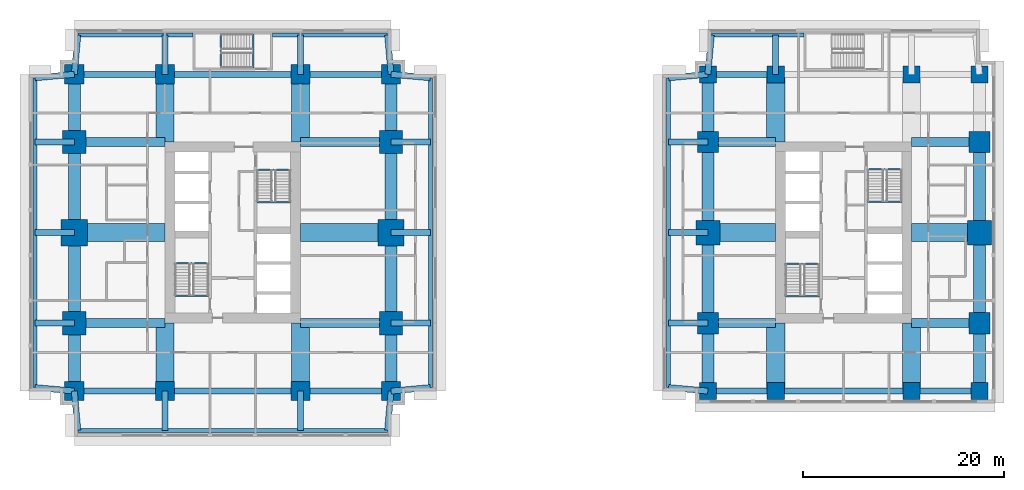
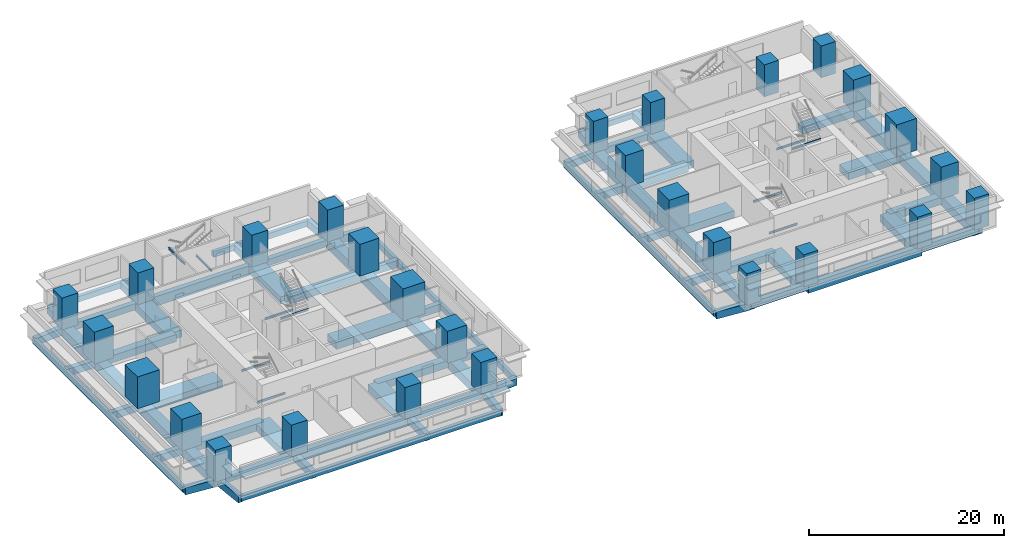
# One storey, part 1 of 11: 86 beams, 28 columns.
"""IFC4 building model written with IfcOpenShell, lengths in metres."""

from ifc_helpers import new_model, si_unit, direction, frame, origin, origin_2d, place, context, subcontext, project, spatial, rectangle, i_section, extrude, material, material_profile, profile_set, type_object, element, save


model = new_model("IFC4")

# Units and contexts
model_context = context("Model", 3, precision=1e-05, world=origin(), true_north=direction((0.0, 1.0)))
body_context = subcontext(model_context, "Body", "Model", "MODEL_VIEW")
ifc_project = project(units=[si_unit("LENGTHUNIT", "METRE"), si_unit("AREAUNIT", "SQUARE_METRE"), si_unit("VOLUMEUNIT", "CUBIC_METRE"), si_unit("PLANEANGLEUNIT", "RADIAN"), si_unit("MASSUNIT", "GRAM", prefix="KILO")], contexts=[model_context])

# Site, building, storey
site_placement = place(None, origin())
site = spatial("IfcSite", under=ifc_project, at=site_placement, CompositionType="ELEMENT")
building_placement = place(site_placement, origin())
building = spatial("IfcBuilding", under=site, at=building_placement, Name="Namib Vertical Campus", CompositionType="ELEMENT")
storey_placement = place(building_placement, frame((0.0, 0.0, 101.0)))
storey = spatial("IfcBuildingStorey", under=building, at=storey_placement, Name="L23", CompositionType="ELEMENT", Elevation=101.0)

# Columns
ifc_material_1 = material(Name="Concrete C60/75", Category="concrete")
ifc_material_profile_1 = material_profile(ifc_material_1, rectangle(XDim=1.699951171875, YDim=1.699951171875, at=origin_2d()))
ifc_profile_set_1 = profile_set([ifc_material_profile_1], Name="Concrete C60/75")
column_type_1 = type_object("IfcColumnType", Name="Column RC 1700x1700", PredefinedType="COLUMN", material=ifc_profile_set_1)
for number, where, z_axis, x_axis, name in (
    (1, (67.5, 4.5, 0.0), (0.0, 0.0, 1.0), (1.0, 0.0, 0.0), "Column C170 L23"),
    (2, (74.25, 4.5, 0.0), (0.0, 0.0, 1.0), (1.0, 0.0, 0.0), "Column C170 L23"),
    (3, (87.75, 4.5, 0.0), (0.0, 0.0, 1.0), (1.0, 0.0, 0.0), "Column C170 L23"),
    (4, (94.5, 4.5, 0.0), (0.0, 0.0, 1.0), (1.0, 0.0, 0.0), "Column C170 L23"),
    (5, (67.5, 36.0, 0.0), (0.0, 0.0, 1.0), (1.0, 0.0, 0.0), "Column C170 L23"),
    (6, (74.25, 36.0, 0.0), (0.0, 0.0, 1.0), (1.0, 0.0, 0.0), "Column C170 L23"),
    (7, (87.75, 36.0, 0.0), (0.0, 0.0, 1.0), (1.0, 0.0, 0.0), "Column C170 L23"),
    (8, (94.5, 36.0, 0.0), (0.0, 0.0, 1.0), (1.0, 0.0, 0.0), "Column C170 L23"),
):
    element("IfcColumn", number, at=place(storey_placement, frame(where, z_axis=z_axis, x_axis=x_axis)), inside=storey, type_object=column_type_1, Name=name, PredefinedType="COLUMN", context=body_context, shape_type="SweptSolid", body=[
        extrude(rectangle(XDim=1.699951171875, YDim=1.699951171875, at=origin_2d()), origin(), (0.0, 0.0, 1.0), 4.0),
    ])
ifc_material_2 = material(Name="Concrete C60/75", Category="concrete")
ifc_material_profile_2 = material_profile(ifc_material_2, rectangle(XDim=1.89990234375, YDim=1.89990234375, at=origin_2d()))
ifc_profile_set_2 = profile_set([ifc_material_profile_2], Name="Concrete C60/75")
column_type_2 = type_object("IfcColumnType", Name="Column RC 1900x1900", PredefinedType="COLUMN", material=ifc_profile_set_2)
for number, where, z_axis, x_axis, name in (
    (9, (4.5, 4.5, 0.0), (0.0, 0.0, 1.0), (1.0, 0.0, 0.0), "Column C190 L23"),
    (10, (13.5, 4.5, 0.0), (0.0, 0.0, 1.0), (1.0, 0.0, 0.0), "Column C190 L23"),
    (11, (27.0, 4.5, 0.0), (0.0, 0.0, 1.0), (1.0, 0.0, 0.0), "Column C190 L23"),
    (12, (36.0, 4.5, 0.0), (0.0, 0.0, 1.0), (1.0, 0.0, 0.0), "Column C190 L23"),
    (13, (4.5, 36.0, 0.0), (0.0, 0.0, 1.0), (1.0, 0.0, 0.0), "Column C190 L23"),
    (14, (13.5, 36.0, 0.0), (0.0, 0.0, 1.0), (1.0, 0.0, 0.0), "Column C190 L23"),
    (15, (27.0, 36.0, 0.0), (0.0, 0.0, 1.0), (1.0, 0.0, 0.0), "Column C190 L23"),
    (16, (36.0, 36.0, 0.0), (0.0, 0.0, 1.0), (1.0, 0.0, 0.0), "Column C190 L23"),
):
    element("IfcColumn", number, at=place(storey_placement, frame(where, z_axis=z_axis, x_axis=x_axis)), inside=storey, type_object=column_type_2, Name=name, PredefinedType="COLUMN", context=body_context, shape_type="SweptSolid", body=[
        extrude(rectangle(XDim=1.89990234375, YDim=1.89990234375, at=origin_2d()), origin(), (0.0, 0.0, 1.0), 4.0),
    ])
ifc_material_3 = material(Name="Concrete C60/75", Category="concrete")
ifc_material_profile_3 = material_profile(ifc_material_3, rectangle(XDim=2.10009765625, YDim=2.10009765625, at=origin_2d()))
ifc_profile_set_3 = profile_set([ifc_material_profile_3], Name="Concrete C60/75")
column_type_3 = type_object("IfcColumnType", Name="Column RC 2100x2100", PredefinedType="COLUMN", material=ifc_profile_set_3)
for number, where, z_axis, x_axis, name in (
    (17, (67.5, 11.25, 0.0), (0.0, 0.0, 1.0), (1.0, 0.0, 0.0), "Column C210 L23"),
    (18, (94.5, 11.25, 0.0), (0.0, 0.0, 1.0), (1.0, 0.0, 0.0), "Column C210 L23"),
    (19, (67.5, 29.25, 0.0), (0.0, 0.0, 1.0), (1.0, 0.0, 0.0), "Column C210 L23"),
    (20, (94.5, 29.25, 0.0), (0.0, 0.0, 1.0), (1.0, 0.0, 0.0), "Column C210 L23"),
):
    element("IfcColumn", number, at=place(storey_placement, frame(where, z_axis=z_axis, x_axis=x_axis)), inside=storey, type_object=column_type_3, Name=name, PredefinedType="COLUMN", context=body_context, shape_type="SweptSolid", body=[
        extrude(rectangle(XDim=2.10009765625, YDim=2.10009765625, at=origin_2d()), origin(), (0.0, 0.0, 1.0), 4.0),
    ])
ifc_material_4 = material(Name="Concrete C60/75", Category="concrete")
ifc_material_profile_4 = material_profile(ifc_material_4, rectangle(XDim=2.300048828125, YDim=2.300048828125, at=origin_2d()))
ifc_profile_set_4 = profile_set([ifc_material_profile_4], Name="Concrete C60/75")
column_type_4 = type_object("IfcColumnType", Name="Column RC 2300x2300", PredefinedType="COLUMN", material=ifc_profile_set_4)
for number, where, z_axis, x_axis, name in (
    (21, (4.5, 11.25, 0.0), (0.0, 0.0, 1.0), (1.0, 0.0, 0.0), "Column C230 L23"),
    (22, (36.0, 11.25, 0.0), (0.0, 0.0, 1.0), (1.0, 0.0, 0.0), "Column C230 L23"),
    (23, (4.5, 29.25, 0.0), (0.0, 0.0, 1.0), (1.0, 0.0, 0.0), "Column C230 L23"),
    (24, (36.0, 29.25, 0.0), (0.0, 0.0, 1.0), (1.0, 0.0, 0.0), "Column C230 L23"),
):
    element("IfcColumn", number, at=place(storey_placement, frame(where, z_axis=z_axis, x_axis=x_axis)), inside=storey, type_object=column_type_4, Name=name, PredefinedType="COLUMN", context=body_context, shape_type="SweptSolid", body=[
        extrude(rectangle(XDim=2.300048828125, YDim=2.300048828125, at=origin_2d()), origin(), (0.0, 0.0, 1.0), 4.0),
    ])
ifc_material_5 = material(Name="Concrete C60/75", Category="concrete")
ifc_material_profile_5 = material_profile(ifc_material_5, rectangle(XDim=2.39990234375, YDim=2.39990234375, at=origin_2d()))
ifc_profile_set_5 = profile_set([ifc_material_profile_5], Name="Concrete C60/75")
column_type_5 = type_object("IfcColumnType", Name="Column RC 2400x2400", PredefinedType="COLUMN", material=ifc_profile_set_5)
for number, where, z_axis, x_axis, name in (
    (25, (67.5, 20.25, 0.0), (0.0, 0.0, 1.0), (1.0, 0.0, 0.0), "Column C240 L23"),
    (26, (94.5, 20.25, 0.0), (0.0, 0.0, 1.0), (1.0, 0.0, 0.0), "Column C240 L23"),
):
    element("IfcColumn", number, at=place(storey_placement, frame(where, z_axis=z_axis, x_axis=x_axis)), inside=storey, type_object=column_type_5, Name=name, PredefinedType="COLUMN", context=body_context, shape_type="SweptSolid", body=[
        extrude(rectangle(XDim=2.39990234375, YDim=2.39990234375, at=origin_2d()), origin(), (0.0, 0.0, 1.0), 4.0),
    ])
ifc_material_6 = material(Name="Concrete C60/75", Category="concrete")
ifc_material_profile_6 = material_profile(ifc_material_6, rectangle(XDim=2.60009765625, YDim=2.60009765625, at=origin_2d()))
ifc_profile_set_6 = profile_set([ifc_material_profile_6], Name="Concrete C60/75")
column_type_6 = type_object("IfcColumnType", Name="Column RC 2600x2600", PredefinedType="COLUMN", material=ifc_profile_set_6)
for number, where, z_axis, x_axis, name in (
    (27, (4.5, 20.25, 0.0), (0.0, 0.0, 1.0), (1.0, 0.0, 0.0), "Column C260 L23"),
    (28, (36.0, 20.25, 0.0), (0.0, 0.0, 1.0), (1.0, 0.0, 0.0), "Column C260 L23"),
):
    element("IfcColumn", number, at=place(storey_placement, frame(where, z_axis=z_axis, x_axis=x_axis)), inside=storey, type_object=column_type_6, Name=name, PredefinedType="COLUMN", context=body_context, shape_type="SweptSolid", body=[
        extrude(rectangle(XDim=2.60009765625, YDim=2.60009765625, at=origin_2d()), origin(), (0.0, 0.0, 1.0), 4.0),
    ])

# Beams
ifc_material_7 = material(Name="Concrete C40/50", Category="concrete")
ifc_material_profile_7 = material_profile(ifc_material_7, rectangle(XDim=0.60009765625, YDim=0.89990234375, at=origin_2d()))
ifc_profile_set_7 = profile_set([ifc_material_profile_7], Name="Concrete C40/50")
beam_type_1 = type_object("IfcBeamType", Name="Cantilever girder RC 600x900", PredefinedType="BEAM", material=ifc_profile_set_7)
beam_1_placement = place(storey_placement, frame((4.5, 4.5, -0.699951171875), z_axis=(0.089411326146, -0.995994786511, 0.0), x_axis=(0.995994786511, 0.089411326146, 0.0)))
element("IfcBeam", 29, at=beam_1_placement, inside=storey, type_object=beam_type_1, Name="Beam B3 L23", PredefinedType="BEAM", context=body_context, shape_type="SweptSolid", body=[
    extrude(rectangle(XDim=0.60009765625, YDim=0.89990234375, at=origin_2d()), origin(), (0.0, 0.0, 1.0), 3.91552734375),
])
for number, where, z_axis, x_axis, name in (
    (30, (13.5, 4.5, -0.699951171875), (0.0, -1.0, 0.0), (1.0, 0.0, 0.0), "Beam B3 L23"),
    (31, (27.0, 4.5, -0.699951171875), (0.0, -1.0, 0.0), (1.0, 0.0, 0.0), "Beam B3 L23"),
):
    element("IfcBeam", number, at=place(storey_placement, frame(where, z_axis=z_axis, x_axis=x_axis)), inside=storey, type_object=beam_type_1, Name=name, PredefinedType="BEAM", context=body_context, shape_type="SweptSolid", body=[
        extrude(rectangle(XDim=0.60009765625, YDim=0.89990234375, at=origin_2d()), origin(), (0.0, 0.0, 1.0), 3.89990234375),
    ])
for number, where, z_axis, x_axis, name in (
    (32, (36.0, 4.5, -0.699951171875), (-0.089411326146, -0.995994786511, 0.0), (0.995994786511, -0.089411326146, 0.0), "Beam B3 L23"),
    (33, (4.5, 36.0, -0.699951171875), (0.089411326146, 0.995994786511, 0.0), (-0.995994786511, 0.089411326146, 0.0), "Beam B3 L23"),
):
    element("IfcBeam", number, at=place(storey_placement, frame(where, z_axis=z_axis, x_axis=x_axis)), inside=storey, type_object=beam_type_1, Name=name, PredefinedType="BEAM", context=body_context, shape_type="SweptSolid", body=[
        extrude(rectangle(XDim=0.60009765625, YDim=0.89990234375, at=origin_2d()), origin(), (0.0, 0.0, 1.0), 3.91552734375),
    ])
for number, where, z_axis, x_axis, name in (
    (34, (13.5, 36.0, -0.699951171875), (0.0, 1.0, 0.0), (-1.0, 0.0, 0.0), "Beam B3 L23"),
    (35, (27.0, 36.0, -0.699951171875), (0.0, 1.0, 0.0), (-1.0, 0.0, 0.0), "Beam B3 L23"),
):
    element("IfcBeam", number, at=place(storey_placement, frame(where, z_axis=z_axis, x_axis=x_axis)), inside=storey, type_object=beam_type_1, Name=name, PredefinedType="BEAM", context=body_context, shape_type="SweptSolid", body=[
        extrude(rectangle(XDim=0.60009765625, YDim=0.89990234375, at=origin_2d()), origin(), (0.0, 0.0, 1.0), 3.89990234375),
    ])
for number, where, z_axis, x_axis, name in (
    (36, (36.0, 36.0, -0.699951171875), (-0.089411326146, 0.995994786511, 0.0), (-0.995994786511, -0.089411326146, 0.0), "Beam B3 L23"),
    (37, (4.5, 4.5, -0.699951171875), (-0.995994786511, 0.089411326146, 0.0), (-0.089411326146, -0.995994786511, 0.0), "Beam B3 L23"),
):
    element("IfcBeam", number, at=place(storey_placement, frame(where, z_axis=z_axis, x_axis=x_axis)), inside=storey, type_object=beam_type_1, Name=name, PredefinedType="BEAM", context=body_context, shape_type="SweptSolid", body=[
        extrude(rectangle(XDim=0.60009765625, YDim=0.89990234375, at=origin_2d()), origin(), (0.0, 0.0, 1.0), 3.91552734375),
    ])
for number, where, z_axis, x_axis, name in (
    (38, (4.5, 11.25, -0.699951171875), (-1.0, 0.0, 0.0), (0.0, -1.0, 0.0), "Beam B3 L23"),
    (39, (4.5, 20.25, -0.699951171875), (-1.0, 0.0, 0.0), (0.0, -1.0, 0.0), "Beam B3 L23"),
    (40, (4.5, 29.25, -0.699951171875), (-1.0, 0.0, 0.0), (0.0, -1.0, 0.0), "Beam B3 L23"),
):
    element("IfcBeam", number, at=place(storey_placement, frame(where, z_axis=z_axis, x_axis=x_axis)), inside=storey, type_object=beam_type_1, Name=name, PredefinedType="BEAM", context=body_context, shape_type="SweptSolid", body=[
        extrude(rectangle(XDim=0.60009765625, YDim=0.89990234375, at=origin_2d()), origin(), (0.0, 0.0, 1.0), 3.89990234375),
    ])
for number, where, z_axis, x_axis, name in (
    (41, (4.5, 36.0, -0.699951171875), (-0.995994786511, -0.089411326146, 0.0), (0.089411326146, -0.995994786511, 0.0), "Beam B3 L23"),
    (42, (36.0, 4.5, -0.699951171875), (0.995994786511, 0.089411326146, 0.0), (-0.089411326146, 0.995994786511, 0.0), "Beam B3 L23"),
):
    element("IfcBeam", number, at=place(storey_placement, frame(where, z_axis=z_axis, x_axis=x_axis)), inside=storey, type_object=beam_type_1, Name=name, PredefinedType="BEAM", context=body_context, shape_type="SweptSolid", body=[
        extrude(rectangle(XDim=0.60009765625, YDim=0.89990234375, at=origin_2d()), origin(), (0.0, 0.0, 1.0), 3.91552734375),
    ])
for number, where, z_axis, x_axis, name in (
    (43, (36.0, 11.25, -0.699951171875), (1.0, 0.0, 0.0), (0.0, 1.0, 0.0), "Beam B3 L23"),
    (44, (36.0, 20.25, -0.699951171875), (1.0, 0.0, 0.0), (0.0, 1.0, 0.0), "Beam B3 L23"),
    (45, (36.0, 29.25, -0.699951171875), (1.0, 0.0, 0.0), (0.0, 1.0, 0.0), "Beam B3 L23"),
):
    element("IfcBeam", number, at=place(storey_placement, frame(where, z_axis=z_axis, x_axis=x_axis)), inside=storey, type_object=beam_type_1, Name=name, PredefinedType="BEAM", context=body_context, shape_type="SweptSolid", body=[
        extrude(rectangle(XDim=0.60009765625, YDim=0.89990234375, at=origin_2d()), origin(), (0.0, 0.0, 1.0), 3.89990234375),
    ])
for number, where, z_axis, x_axis, name in (
    (46, (36.0, 36.0, -0.699951171875), (0.995994786511, -0.089411326146, 0.0), (0.089411326146, 0.995994786511, 0.0), "Beam B3 L23"),
    (47, (67.5, 36.0, -0.699951171875), (0.089411326146, 0.995994786511, 0.0), (-0.995994786511, 0.089411326146, 0.0), "Beam B3 L23"),
):
    element("IfcBeam", number, at=place(storey_placement, frame(where, z_axis=z_axis, x_axis=x_axis)), inside=storey, type_object=beam_type_1, Name=name, PredefinedType="BEAM", context=body_context, shape_type="SweptSolid", body=[
        extrude(rectangle(XDim=0.60009765625, YDim=0.89990234375, at=origin_2d()), origin(), (0.0, 0.0, 1.0), 3.91552734375),
    ])
beam_2_placement = place(storey_placement, frame((74.25, 36.0, -0.699951171875), z_axis=(0.0, 1.0, 0.0), x_axis=(-1.0, 0.0, 0.0)))
element("IfcBeam", 48, at=beam_2_placement, inside=storey, type_object=beam_type_1, Name="Beam B3 L23", PredefinedType="BEAM", context=body_context, shape_type="SweptSolid", body=[
    extrude(rectangle(XDim=0.60009765625, YDim=0.89990234375, at=origin_2d()), origin(), (0.0, 0.0, 1.0), 3.89990234375),
])
beam_3_placement = place(storey_placement, frame((67.5, 4.5, -0.699951171875), z_axis=(-0.995994786511, 0.089411326146, 0.0), x_axis=(-0.089411326146, -0.995994786511, 0.0)))
element("IfcBeam", 49, at=beam_3_placement, inside=storey, type_object=beam_type_1, Name="Beam B3 L23", PredefinedType="BEAM", context=body_context, shape_type="SweptSolid", body=[
    extrude(rectangle(XDim=0.60009765625, YDim=0.89990234375, at=origin_2d()), origin(), (0.0, 0.0, 1.0), 3.91552734375),
])
for number, where, z_axis, x_axis, name in (
    (50, (67.5, 11.25, -0.699951171875), (-1.0, 0.0, 0.0), (0.0, -1.0, 0.0), "Beam B3 L23"),
    (51, (67.5, 20.25, -0.699951171875), (-1.0, 0.0, 0.0), (0.0, -1.0, 0.0), "Beam B3 L23"),
    (52, (67.5, 29.25, -0.699951171875), (-1.0, 0.0, 0.0), (0.0, -1.0, 0.0), "Beam B3 L23"),
):
    element("IfcBeam", number, at=place(storey_placement, frame(where, z_axis=z_axis, x_axis=x_axis)), inside=storey, type_object=beam_type_1, Name=name, PredefinedType="BEAM", context=body_context, shape_type="SweptSolid", body=[
        extrude(rectangle(XDim=0.60009765625, YDim=0.89990234375, at=origin_2d()), origin(), (0.0, 0.0, 1.0), 3.89990234375),
    ])
beam_4_placement = place(storey_placement, frame((67.5, 36.0, -0.699951171875), z_axis=(-0.995994786511, -0.089411326146, 0.0), x_axis=(0.089411326146, -0.995994786511, 0.0)))
element("IfcBeam", 53, at=beam_4_placement, inside=storey, type_object=beam_type_1, Name="Beam B3 L23", PredefinedType="BEAM", context=body_context, shape_type="SweptSolid", body=[
    extrude(rectangle(XDim=0.60009765625, YDim=0.89990234375, at=origin_2d()), origin(), (0.0, 0.0, 1.0), 3.91552734375),
])
ifc_material_8 = material(Name="Concrete C40/50", Category="concrete")
ifc_material_profile_8 = material_profile(ifc_material_8, rectangle(XDim=0.39990234375, YDim=0.699951171875, at=origin_2d()))
ifc_profile_set_8 = profile_set([ifc_material_profile_8], Name="Concrete C40/50")
beam_type_2 = type_object("IfcBeamType", Name="Edge beam RC 400x700", PredefinedType="SPANDREL", material=ifc_profile_set_8)
beam_5_placement = place(storey_placement, frame((4.85009765625, 0.60009765625, -0.60009765625), z_axis=(1.0, 0.0, 0.0), x_axis=(0.0, 1.0, 0.0)))
element("IfcBeam", 54, at=beam_5_placement, inside=storey, type_object=beam_type_2, Name="Beam B4 L23", PredefinedType="SPANDREL", context=body_context, shape_type="SweptSolid", body=[
    extrude(rectangle(XDim=0.39990234375, YDim=0.699951171875, at=origin_2d()), origin(), (0.0, 0.0, 1.0), 30.7998046875),
])
for number, where, z_axis, x_axis, name in (
    (55, (4.85009765625, 39.89990234375, -0.60009765625), (1.0, 0.0, 0.0), (0.0, 1.0, 0.0), "Beam B4 L23"),
    (56, (24.199951171875, 39.89990234375, -0.60009765625), (1.0, 0.0, 0.0), (0.0, 1.0, 0.0), "Beam B4 L23"),
):
    element("IfcBeam", number, at=place(storey_placement, frame(where, z_axis=z_axis, x_axis=x_axis)), inside=storey, type_object=beam_type_2, Name=name, PredefinedType="SPANDREL", context=body_context, shape_type="SweptSolid", body=[
        extrude(rectangle(XDim=0.39990234375, YDim=0.699951171875, at=origin_2d()), origin(), (0.0, 0.0, 1.0), 11.449951171875),
    ])
for number, where, z_axis, x_axis, name in (
    (57, (0.60009765625, 4.85009765625, -0.60009765625), (0.0, 1.0, 0.0), (-1.0, 0.0, 0.0), "Beam B4 L23"),
    (58, (39.89990234375, 4.85009765625, -0.60009765625), (0.0, 1.0, 0.0), (-1.0, 0.0, 0.0), "Beam B4 L23"),
):
    element("IfcBeam", number, at=place(storey_placement, frame(where, z_axis=z_axis, x_axis=x_axis)), inside=storey, type_object=beam_type_2, Name=name, PredefinedType="SPANDREL", context=body_context, shape_type="SweptSolid", body=[
        extrude(rectangle(XDim=0.39990234375, YDim=0.699951171875, at=origin_2d()), origin(), (0.0, 0.0, 1.0), 30.7998046875),
    ])
beam_6_placement = place(storey_placement, frame((67.85009765625, 39.89990234375, -0.60009765625), z_axis=(1.0, 0.0, 0.0), x_axis=(0.0, 1.0, 0.0)))
element("IfcBeam", 59, at=beam_6_placement, inside=storey, type_object=beam_type_2, Name="Beam B4 L23", PredefinedType="SPANDREL", context=body_context, shape_type="SweptSolid", body=[
    extrude(rectangle(XDim=0.39990234375, YDim=0.699951171875, at=origin_2d()), origin(), (0.0, 0.0, 1.0), 9.199951171875),
])
beam_7_placement = place(storey_placement, frame((63.60009765625, 4.85009765625, -0.60009765625), z_axis=(0.0, 1.0, 0.0), x_axis=(-1.0, 0.0, 0.0)))
element("IfcBeam", 60, at=beam_7_placement, inside=storey, type_object=beam_type_2, Name="Beam B4 L23", PredefinedType="SPANDREL", context=body_context, shape_type="SweptSolid", body=[
    extrude(rectangle(XDim=0.39990234375, YDim=0.699951171875, at=origin_2d()), origin(), (0.0, 0.0, 1.0), 30.7998046875),
])
ifc_material_9 = material(Name="Concrete C40/50", Category="concrete")
ifc_material_profile_9 = material_profile(ifc_material_9, rectangle(XDim=0.89990234375, YDim=0.89990234375, at=origin_2d()))
ifc_profile_set_9 = profile_set([ifc_material_profile_9], Name="Concrete C40/50")
beam_type_3 = type_object("IfcBeamType", Name="Face girder RC 900x900", PredefinedType="BEAM", material=ifc_profile_set_9)
for number, where, z_axis, x_axis, name in (
    (61, (4.5, 11.25, -0.699951171875), (1.0, 0.0, 0.0), (0.0, 1.0, 0.0), "Beam B10 L23"),
    (62, (36.0, 11.25, -0.699951171875), (-1.0, 0.0, 0.0), (0.0, -1.0, 0.0), "Beam B10 L23"),
    (63, (4.5, 29.25, -0.699951171875), (1.0, 0.0, 0.0), (0.0, 1.0, 0.0), "Beam B10 L23"),
    (64, (36.0, 29.25, -0.699951171875), (-1.0, 0.0, 0.0), (0.0, -1.0, 0.0), "Beam B10 L23"),
):
    element("IfcBeam", number, at=place(storey_placement, frame(where, z_axis=z_axis, x_axis=x_axis)), inside=storey, type_object=beam_type_3, Name=name, PredefinedType="BEAM", context=body_context, shape_type="SweptSolid", body=[
        extrude(rectangle(XDim=0.89990234375, YDim=0.89990234375, at=origin_2d()), origin(), (0.0, 0.0, 1.0), 9.0),
    ])
for number, where, z_axis, x_axis, name in (
    (65, (67.5, 11.25, -0.699951171875), (1.0, 0.0, 0.0), (0.0, 1.0, 0.0), "Beam B10 L23"),
    (66, (94.5, 11.25, -0.699951171875), (-1.0, 0.0, 0.0), (0.0, -1.0, 0.0), "Beam B10 L23"),
    (67, (67.5, 29.25, -0.699951171875), (1.0, 0.0, 0.0), (0.0, 1.0, 0.0), "Beam B10 L23"),
    (68, (94.5, 29.25, -0.699951171875), (-1.0, 0.0, 0.0), (0.0, -1.0, 0.0), "Beam B10 L23"),
):
    element("IfcBeam", number, at=place(storey_placement, frame(where, z_axis=z_axis, x_axis=x_axis)), inside=storey, type_object=beam_type_3, Name=name, PredefinedType="BEAM", context=body_context, shape_type="SweptSolid", body=[
        extrude(rectangle(XDim=0.89990234375, YDim=0.89990234375, at=origin_2d()), origin(), (0.0, 0.0, 1.0), 6.75),
    ])
ifc_material_10 = material(Name="Concrete C40/50", Category="concrete")
ifc_material_profile_10 = material_profile(ifc_material_10, rectangle(XDim=1.199951171875, YDim=1.10009765625, at=origin_2d()))
ifc_profile_set_10 = profile_set([ifc_material_profile_10], Name="Concrete C40/50")
beam_type_4 = type_object("IfcBeamType", Name="Face ring beam RC 1200x1100", PredefinedType="BEAM", material=ifc_profile_set_10)
beam_8_placement = place(storey_placement, frame((4.5, 4.5, -0.800048828125), z_axis=(0.0, 1.0, 0.0), x_axis=(-1.0, 0.0, 0.0)))
element("IfcBeam", 69, at=beam_8_placement, inside=storey, type_object=beam_type_4, Name="Beam B11 L23", PredefinedType="BEAM", context=body_context, shape_type="SweptSolid", body=[
    extrude(rectangle(XDim=1.199951171875, YDim=1.10009765625, at=origin_2d()), origin(), (0.0, 0.0, 1.0), 6.75),
])
for number, where, z_axis, x_axis, name in (
    (70, (4.5, 11.25, -0.800048828125), (0.0, 1.0, 0.0), (-1.0, 0.0, 0.0), "Beam B11 L23"),
    (71, (4.5, 20.25, -0.800048828125), (0.0, 1.0, 0.0), (-1.0, 0.0, 0.0), "Beam B11 L23"),
):
    element("IfcBeam", number, at=place(storey_placement, frame(where, z_axis=z_axis, x_axis=x_axis)), inside=storey, type_object=beam_type_4, Name=name, PredefinedType="BEAM", context=body_context, shape_type="SweptSolid", body=[
        extrude(rectangle(XDim=1.199951171875, YDim=1.10009765625, at=origin_2d()), origin(), (0.0, 0.0, 1.0), 9.0),
    ])
for number, where, z_axis, x_axis, name in (
    (72, (4.5, 29.25, -0.800048828125), (0.0, 1.0, 0.0), (-1.0, 0.0, 0.0), "Beam B11 L23"),
    (73, (36.0, 4.5, -0.800048828125), (0.0, 1.0, 0.0), (-1.0, 0.0, 0.0), "Beam B11 L23"),
):
    element("IfcBeam", number, at=place(storey_placement, frame(where, z_axis=z_axis, x_axis=x_axis)), inside=storey, type_object=beam_type_4, Name=name, PredefinedType="BEAM", context=body_context, shape_type="SweptSolid", body=[
        extrude(rectangle(XDim=1.199951171875, YDim=1.10009765625, at=origin_2d()), origin(), (0.0, 0.0, 1.0), 6.75),
    ])
for number, where, z_axis, x_axis, name in (
    (74, (36.0, 11.25, -0.800048828125), (0.0, 1.0, 0.0), (-1.0, 0.0, 0.0), "Beam B11 L23"),
    (75, (36.0, 20.25, -0.800048828125), (0.0, 1.0, 0.0), (-1.0, 0.0, 0.0), "Beam B11 L23"),
):
    element("IfcBeam", number, at=place(storey_placement, frame(where, z_axis=z_axis, x_axis=x_axis)), inside=storey, type_object=beam_type_4, Name=name, PredefinedType="BEAM", context=body_context, shape_type="SweptSolid", body=[
        extrude(rectangle(XDim=1.199951171875, YDim=1.10009765625, at=origin_2d()), origin(), (0.0, 0.0, 1.0), 9.0),
    ])
for number, where, z_axis, x_axis, name in (
    (76, (36.0, 29.25, -0.800048828125), (0.0, 1.0, 0.0), (-1.0, 0.0, 0.0), "Beam B11 L23"),
    (77, (67.5, 4.5, -0.800048828125), (0.0, 1.0, 0.0), (-1.0, 0.0, 0.0), "Beam B11 L23"),
):
    element("IfcBeam", number, at=place(storey_placement, frame(where, z_axis=z_axis, x_axis=x_axis)), inside=storey, type_object=beam_type_4, Name=name, PredefinedType="BEAM", context=body_context, shape_type="SweptSolid", body=[
        extrude(rectangle(XDim=1.199951171875, YDim=1.10009765625, at=origin_2d()), origin(), (0.0, 0.0, 1.0), 6.75),
    ])
for number, where, z_axis, x_axis, name in (
    (78, (67.5, 11.25, -0.800048828125), (0.0, 1.0, 0.0), (-1.0, 0.0, 0.0), "Beam B11 L23"),
    (79, (67.5, 20.25, -0.800048828125), (0.0, 1.0, 0.0), (-1.0, 0.0, 0.0), "Beam B11 L23"),
):
    element("IfcBeam", number, at=place(storey_placement, frame(where, z_axis=z_axis, x_axis=x_axis)), inside=storey, type_object=beam_type_4, Name=name, PredefinedType="BEAM", context=body_context, shape_type="SweptSolid", body=[
        extrude(rectangle(XDim=1.199951171875, YDim=1.10009765625, at=origin_2d()), origin(), (0.0, 0.0, 1.0), 9.0),
    ])
for number, where, z_axis, x_axis, name in (
    (80, (67.5, 29.25, -0.800048828125), (0.0, 1.0, 0.0), (-1.0, 0.0, 0.0), "Beam B11 L23"),
    (81, (94.5, 4.5, -0.800048828125), (0.0, 1.0, 0.0), (-1.0, 0.0, 0.0), "Beam B11 L23"),
):
    element("IfcBeam", number, at=place(storey_placement, frame(where, z_axis=z_axis, x_axis=x_axis)), inside=storey, type_object=beam_type_4, Name=name, PredefinedType="BEAM", context=body_context, shape_type="SweptSolid", body=[
        extrude(rectangle(XDim=1.199951171875, YDim=1.10009765625, at=origin_2d()), origin(), (0.0, 0.0, 1.0), 6.75),
    ])
for number, where, z_axis, x_axis, name in (
    (82, (94.5, 11.25, -0.800048828125), (0.0, 1.0, 0.0), (-1.0, 0.0, 0.0), "Beam B11 L23"),
    (83, (94.5, 20.25, -0.800048828125), (0.0, 1.0, 0.0), (-1.0, 0.0, 0.0), "Beam B11 L23"),
):
    element("IfcBeam", number, at=place(storey_placement, frame(where, z_axis=z_axis, x_axis=x_axis)), inside=storey, type_object=beam_type_4, Name=name, PredefinedType="BEAM", context=body_context, shape_type="SweptSolid", body=[
        extrude(rectangle(XDim=1.199951171875, YDim=1.10009765625, at=origin_2d()), origin(), (0.0, 0.0, 1.0), 9.0),
    ])
ifc_material_11 = material(Name="Steel S355JR", Category="steel")
ifc_material_profile_11 = material_profile(ifc_material_11, i_section(OverallWidth=0.14599609375, OverallDepth=0.25146484375, WebThickness=0.006103515625, FlangeThickness=0.008544921875, FilletRadius=0.007568359375, at=origin_2d()))
ifc_profile_set_11 = profile_set([ifc_material_profile_11], Name="Steel S355JR")
beam_type_5 = type_object("IfcBeamType", Name="Landing trimmer UB 254x146x31", PredefinedType="BEAM", material=ifc_profile_set_11)
for number, where, z_axis, x_axis, name in (
    (84, (14.5, 13.97705078125, -0.125732421875), (1.0, 0.0, 0.0), (0.0, 1.0, 0.0), "Landing trimmer LT1 A-S1 L23 1"),
    (85, (14.5, 17.203125, 1.874267578125), (1.0, 0.0, 0.0), (0.0, 1.0, 0.0), "Landing trimmer LT1 A-S1 L23 2"),
    (86, (22.64990234375, 26.52294921875, -0.125732421875), (1.0, 0.0, 0.0), (0.0, 1.0, 0.0), "Landing trimmer LT1 A-S2 L23 1"),
    (87, (22.64990234375, 23.296875, 1.874267578125), (1.0, 0.0, 0.0), (0.0, 1.0, 0.0), "Landing trimmer LT1 A-S2 L23 2"),
):
    element("IfcBeam", number, at=place(storey_placement, frame(where, z_axis=z_axis, x_axis=x_axis)), inside=storey, type_object=beam_type_5, Name=name, PredefinedType="BEAM", context=body_context, shape_type="SweptSolid", body=[
        extrude(i_section(OverallWidth=0.14599609375, OverallDepth=0.25146484375, WebThickness=0.006103515625, FlangeThickness=0.008544921875, FilletRadius=0.007568359375, at=origin_2d()), origin(), (0.0, 0.0, 1.0), 3.35009765625),
    ])
for number, where, z_axis, x_axis, name in (
    (88, (75.199951171875, 13.927001953125, -0.125732421875), (1.0, 0.0, 0.0), (0.0, 1.0, 0.0), "Landing trimmer LT1 B-S1 L23 1"),
    (89, (75.199951171875, 17.153076171875, 1.874267578125), (1.0, 0.0, 0.0), (0.0, 1.0, 0.0), "Landing trimmer LT1 B-S1 L23 2"),
    (90, (83.39990234375, 26.572998046875, -0.125732421875), (1.0, 0.0, 0.0), (0.0, 1.0, 0.0), "Landing trimmer LT1 B-S2 L23 1"),
    (91, (83.39990234375, 23.346923828125, 1.874267578125), (1.0, 0.0, 0.0), (0.0, 1.0, 0.0), "Landing trimmer LT1 B-S2 L23 2"),
):
    element("IfcBeam", number, at=place(storey_placement, frame(where, z_axis=z_axis, x_axis=x_axis)), inside=storey, type_object=beam_type_5, Name=name, PredefinedType="BEAM", context=body_context, shape_type="SweptSolid", body=[
        extrude(i_section(OverallWidth=0.14599609375, OverallDepth=0.25146484375, WebThickness=0.006103515625, FlangeThickness=0.008544921875, FilletRadius=0.007568359375, at=origin_2d()), origin(), (0.0, 0.0, 1.0), 3.400146484375),
    ])
for number, where, z_axis, x_axis, name in (
    (92, (22.27294921875, 36.64990234375, -0.125732421875), (0.0, 1.0, 0.0), (-1.0, 0.0, 0.0), "Landing trimmer LT1 A-S3 L23 1"),
    (93, (19.046875, 36.64990234375, 1.874267578125), (0.0, 1.0, 0.0), (-1.0, 0.0, 0.0), "Landing trimmer LT1 A-S3 L23 2"),
):
    element("IfcBeam", number, at=place(storey_placement, frame(where, z_axis=z_axis, x_axis=x_axis)), inside=storey, type_object=beam_type_5, Name=name, PredefinedType="BEAM", context=body_context, shape_type="SweptSolid", body=[
        extrude(i_section(OverallWidth=0.14599609375, OverallDepth=0.25146484375, WebThickness=0.006103515625, FlangeThickness=0.008544921875, FilletRadius=0.007568359375, at=origin_2d()), origin(), (0.0, 0.0, 1.0), 3.35009765625),
    ])
ifc_material_12 = material(Name="Concrete C40/50", Category="concrete")
ifc_material_profile_12 = material_profile(ifc_material_12, rectangle(XDim=0.60009765625, YDim=1.199951171875, at=origin_2d()))
ifc_profile_set_12 = profile_set([ifc_material_profile_12], Name="Concrete C40/50")
beam_type_6 = type_object("IfcBeamType", Name="Long-span ring beam RC 600x1200", PredefinedType="BEAM", material=ifc_profile_set_12)
for number, where, z_axis, x_axis, name in (
    (94, (13.5, 4.5, -0.85009765625), (1.0, 0.0, 0.0), (0.0, 1.0, 0.0), "Beam B9 L23"),
    (95, (13.5, 36.0, -0.85009765625), (1.0, 0.0, 0.0), (0.0, 1.0, 0.0), "Beam B9 L23"),
    (96, (74.25, 4.5, -0.85009765625), (1.0, 0.0, 0.0), (0.0, 1.0, 0.0), "Beam B9 L23"),
):
    element("IfcBeam", number, at=place(storey_placement, frame(where, z_axis=z_axis, x_axis=x_axis)), inside=storey, type_object=beam_type_6, Name=name, PredefinedType="BEAM", context=body_context, shape_type="SweptSolid", body=[
        extrude(rectangle(XDim=0.60009765625, YDim=1.199951171875, at=origin_2d()), origin(), (0.0, 0.0, 1.0), 13.5),
    ])
ifc_material_13 = material(Name="Concrete C40/50", Category="concrete")
ifc_material_profile_13 = material_profile(ifc_material_13, rectangle(XDim=1.800048828125, YDim=0.89990234375, at=origin_2d()))
ifc_profile_set_13 = profile_set([ifc_material_profile_13], Name="Concrete C40/50")
beam_type_7 = type_object("IfcBeamType", Name="Outrigger line girder RC 1800x900", PredefinedType="BEAM", material=ifc_profile_set_13)
for number, where, z_axis, x_axis, name in (
    (97, (13.5, 4.5, -0.699951171875), (0.0, 1.0, 0.0), (-1.0, 0.0, 0.0), "Beam B12 L23"),
    (98, (13.5, 36.0, -0.699951171875), (0.0, -1.0, 0.0), (1.0, 0.0, 0.0), "Beam B12 L23"),
    (99, (27.0, 4.5, -0.699951171875), (0.0, 1.0, 0.0), (-1.0, 0.0, 0.0), "Beam B12 L23"),
    (100, (27.0, 36.0, -0.699951171875), (0.0, -1.0, 0.0), (1.0, 0.0, 0.0), "Beam B12 L23"),
):
    element("IfcBeam", number, at=place(storey_placement, frame(where, z_axis=z_axis, x_axis=x_axis)), inside=storey, type_object=beam_type_7, Name=name, PredefinedType="BEAM", context=body_context, shape_type="SweptSolid", body=[
        extrude(rectangle(XDim=1.800048828125, YDim=0.89990234375, at=origin_2d()), origin(), (0.0, 0.0, 1.0), 6.75),
    ])
for number, where, z_axis, x_axis, name in (
    (101, (4.5, 20.25, -0.699951171875), (1.0, 0.0, 0.0), (0.0, 1.0, 0.0), "Beam B12 L23"),
    (102, (36.0, 20.25, -0.699951171875), (-1.0, 0.0, 0.0), (0.0, -1.0, 0.0), "Beam B12 L23"),
):
    element("IfcBeam", number, at=place(storey_placement, frame(where, z_axis=z_axis, x_axis=x_axis)), inside=storey, type_object=beam_type_7, Name=name, PredefinedType="BEAM", context=body_context, shape_type="SweptSolid", body=[
        extrude(rectangle(XDim=1.800048828125, YDim=0.89990234375, at=origin_2d()), origin(), (0.0, 0.0, 1.0), 9.0),
    ])
for number, where, z_axis, x_axis, name in (
    (103, (74.25, 4.5, -0.699951171875), (0.0, 1.0, 0.0), (-1.0, 0.0, 0.0), "Beam B12 L23"),
    (104, (74.25, 36.0, -0.699951171875), (0.0, -1.0, 0.0), (1.0, 0.0, 0.0), "Beam B12 L23"),
    (105, (87.75, 4.5, -0.699951171875), (0.0, 1.0, 0.0), (-1.0, 0.0, 0.0), "Beam B12 L23"),
    (106, (67.5, 20.25, -0.699951171875), (1.0, 0.0, 0.0), (0.0, 1.0, 0.0), "Beam B12 L23"),
    (107, (94.5, 20.25, -0.699951171875), (-1.0, 0.0, 0.0), (0.0, -1.0, 0.0), "Beam B12 L23"),
):
    element("IfcBeam", number, at=place(storey_placement, frame(where, z_axis=z_axis, x_axis=x_axis)), inside=storey, type_object=beam_type_7, Name=name, PredefinedType="BEAM", context=body_context, shape_type="SweptSolid", body=[
        extrude(rectangle(XDim=1.800048828125, YDim=0.89990234375, at=origin_2d()), origin(), (0.0, 0.0, 1.0), 6.75),
    ])
ifc_material_14 = material(Name="Concrete C40/50", Category="concrete")
ifc_material_profile_14 = material_profile(ifc_material_14, rectangle(XDim=0.60009765625, YDim=0.800048828125, at=origin_2d()))
ifc_profile_set_14 = profile_set([ifc_material_profile_14], Name="Concrete C40/50")
beam_type_8 = type_object("IfcBeamType", Name="Ring beam RC 600x800", PredefinedType="BEAM", material=ifc_profile_set_14)
for number, where, z_axis, x_axis, name in (
    (108, (4.5, 4.5, -0.64990234375), (1.0, 0.0, 0.0), (0.0, 1.0, 0.0), "Beam B1 L23"),
    (109, (27.0, 4.5, -0.64990234375), (1.0, 0.0, 0.0), (0.0, 1.0, 0.0), "Beam B1 L23"),
    (110, (4.5, 36.0, -0.64990234375), (1.0, 0.0, 0.0), (0.0, 1.0, 0.0), "Beam B1 L23"),
    (111, (27.0, 36.0, -0.64990234375), (1.0, 0.0, 0.0), (0.0, 1.0, 0.0), "Beam B1 L23"),
):
    element("IfcBeam", number, at=place(storey_placement, frame(where, z_axis=z_axis, x_axis=x_axis)), inside=storey, type_object=beam_type_8, Name=name, PredefinedType="BEAM", context=body_context, shape_type="SweptSolid", body=[
        extrude(rectangle(XDim=0.60009765625, YDim=0.800048828125, at=origin_2d()), origin(), (0.0, 0.0, 1.0), 9.0),
    ])
for number, where, z_axis, x_axis, name in (
    (112, (67.5, 4.5, -0.64990234375), (1.0, 0.0, 0.0), (0.0, 1.0, 0.0), "Beam B1 L23"),
    (113, (87.75, 4.5, -0.64990234375), (1.0, 0.0, 0.0), (0.0, 1.0, 0.0), "Beam B1 L23"),
    (114, (67.5, 36.0, -0.64990234375), (1.0, 0.0, 0.0), (0.0, 1.0, 0.0), "Beam B1 L23"),
):
    element("IfcBeam", number, at=place(storey_placement, frame(where, z_axis=z_axis, x_axis=x_axis)), inside=storey, type_object=beam_type_8, Name=name, PredefinedType="BEAM", context=body_context, shape_type="SweptSolid", body=[
        extrude(rectangle(XDim=0.60009765625, YDim=0.800048828125, at=origin_2d()), origin(), (0.0, 0.0, 1.0), 6.75),
    ])

save(model, "model.ifc")
